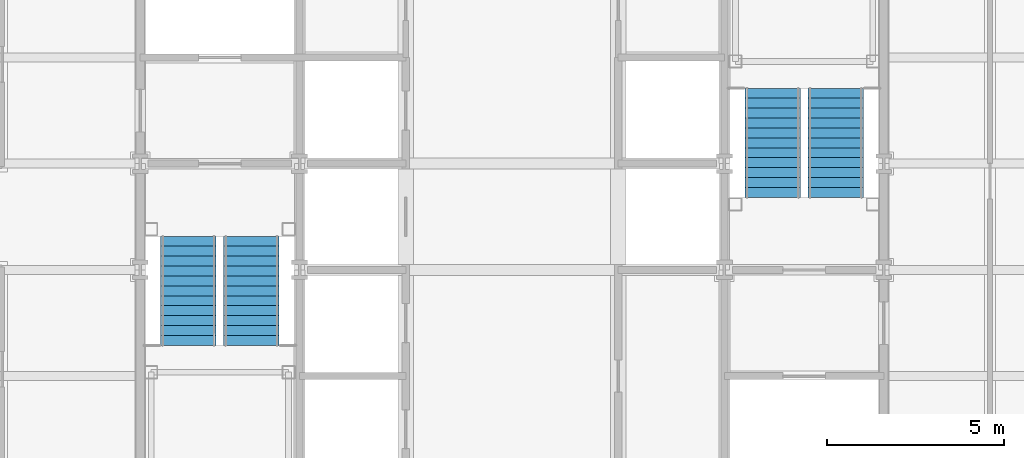
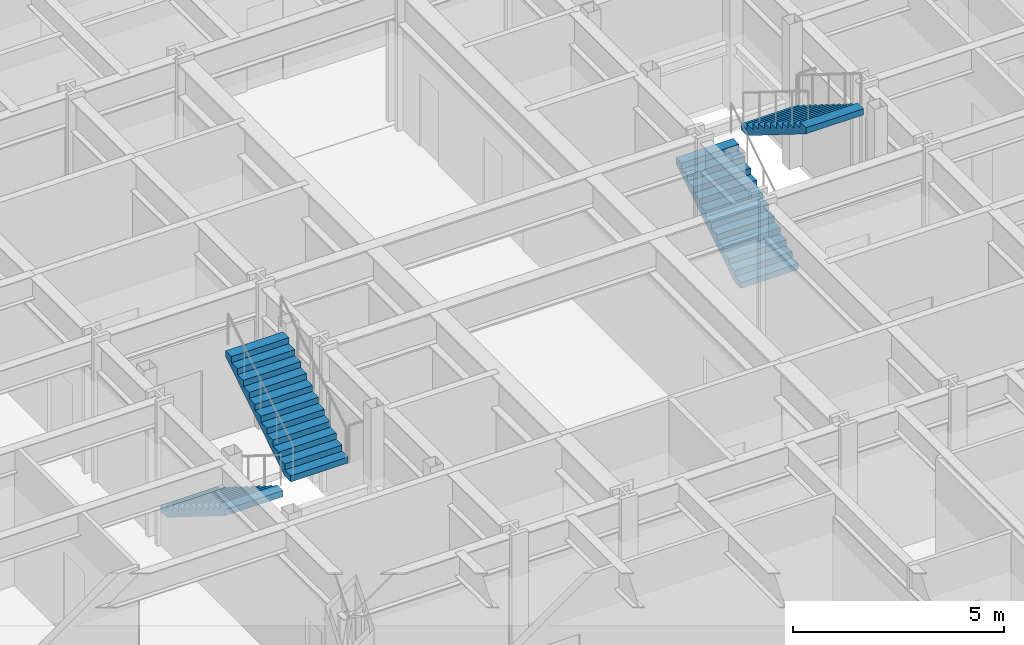
# One storey, part 13 of 15: 4 stair flights, 2 elements without a shape of their own.
"""IFC4 building model written with IfcOpenShell, lengths in metres."""

import ifcopenshell
import ifcopenshell.guid

model = None  # the IFC model being written
_history = None  # IfcOwnerHistory: only IFC2X3 demands one
_inside = {}  # id of a spatial element -> (the spatial element, [elements in it])
_under = {}  # id of a project, library or spatial element -> (it, [spatial elements below it])
_declared = {}  # id of a project -> (the project, [libraries it declares])
_typed = {}  # id of a type object -> (the type object, [elements of that type])
_made_of = {}  # id of a material, layer set ... -> (it, [elements and type objects made of it])


def new_model(schema):
    """Start an empty IFC model of exactly this schema.

    Asked for "IFC4X3", IfcOpenShell would pick the latest addendum, in which some entities
    have other attributes; the version numbers below select the first issue.
    IFC2X3 requires an IfcOwnerHistory on every rooted entity: one is made here for all.
    """
    global model, _history
    if schema == "IFC4X3":
        model = ifcopenshell.file(schema_version=(4, 3, 0, 0))
    else:
        model = ifcopenshell.file(schema=schema)
    _inside.clear()
    _under.clear()
    _declared.clear()
    _typed.clear()
    _made_of.clear()
    _history = None
    if model.schema == "IFC2X3":
        org = make("IfcOrganization", Name="unknown")
        user = make(
            "IfcPersonAndOrganization",
            ThePerson=make("IfcPerson", FamilyName="unknown"),
            TheOrganization=org,
        )
        app = make(
            "IfcApplication",
            ApplicationDeveloper=org,
            Version="unknown",
            ApplicationFullName="unknown",
            ApplicationIdentifier="unknown",
        )
        _history = make(
            "IfcOwnerHistory",
            OwningUser=user,
            OwningApplication=app,
            ChangeAction="ADDED",
            CreationDate=0,
        )
    return model


def make(cls, **values):
    """One entity of the class cls with the attributes given. An attribute that is None is left unset."""
    return model.create_entity(
        cls, **{name: value for name, value in values.items() if value is not None}
    )


def rooted(cls, **values):
    """An entity with a GlobalId (a new one), such as an element, a storey or a relation."""
    return make(cls, GlobalId=ifcopenshell.guid.new(), OwnerHistory=_history, **values)


def si_unit(unit_type, name, prefix=None):
    """IfcSIUnit, for example si_unit("LENGTHUNIT", "METRE", prefix="MILLI")."""
    return make("IfcSIUnit", UnitType=unit_type, Prefix=prefix, Name=name)


def assignment(units):
    """IfcUnitAssignment: the units of a project."""
    return None if units is None else make("IfcUnitAssignment", Units=units)


def point(xyz):
    """IfcCartesianPoint."""
    return None if xyz is None else make("IfcCartesianPoint", Coordinates=xyz)


def direction(xyz):
    """IfcDirection."""
    return None if xyz is None else make("IfcDirection", DirectionRatios=xyz)


def frame(location, z_axis=None, x_axis=None):
    """IfcAxis2Placement3D, a coordinate frame: its origin and axes. An axis left out is left unset."""
    return make(
        "IfcAxis2Placement3D",
        Location=point(location),
        Axis=direction(z_axis),
        RefDirection=direction(x_axis),
    )


def origin():
    """The frame at (0, 0, 0) with its axes left unset."""
    return frame((0.0, 0.0, 0.0))


def place(relative_to, where):
    """IfcLocalPlacement: puts the frame where relative to a parent placement (None: the world)."""
    return make(
        "IfcLocalPlacement", PlacementRelTo=relative_to, RelativePlacement=where
    )


def context(
    kind, dimensions, precision=None, world=None, true_north=None, identifier=None
):
    """IfcGeometricRepresentationContext, for example the 3D "Model" context."""
    return make(
        "IfcGeometricRepresentationContext",
        ContextIdentifier=identifier,
        ContextType=kind,
        CoordinateSpaceDimension=dimensions,
        Precision=precision,
        WorldCoordinateSystem=world,
        TrueNorth=true_north,
    )


def subcontext(parent, identifier, kind, view, scale=None):
    """IfcGeometricRepresentationSubContext, for example "Body" below "Model"."""
    return make(
        "IfcGeometricRepresentationSubContext",
        ContextIdentifier=identifier,
        ContextType=kind,
        ParentContext=parent,
        TargetScale=scale,
        TargetView=view,
    )


def project(units=None, contexts=None):
    """IfcProject with its units and contexts."""
    return rooted(
        "IfcProject",
        Name="project",
        RepresentationContexts=contexts,
        UnitsInContext=assignment(units),
    )


def spatial(cls, under=None, at=None, **own):
    """A site, building, storey or space (cls), placed at a placement, below another one or the project."""
    s = rooted(cls, ObjectPlacement=at, **own)
    if under is not None:
        _under.setdefault(under.id(), (under, []))[1].append(s)
    return s


def faces_of(points, faces, orient=None, outer=None):
    """IfcFace entities. A face is a list of loops; a loop is a list of indices into points, from 0.

    orient and outer hold one flag for each loop. By default every Orientation is true, the
    first loop of a face is its IfcFaceOuterBound and the others are IfcFaceBound.
    """
    made = []
    for i, loops in enumerate(faces):
        bounds = []
        for j, loop in enumerate(loops):
            is_outer = j == 0 if outer is None else outer[i][j]
            bounds.append(
                make(
                    "IfcFaceOuterBound" if is_outer else "IfcFaceBound",
                    Bound=make("IfcPolyLoop", Polygon=[points[k] for k in loop]),
                    Orientation=True if orient is None else orient[i][j],
                )
            )
        made.append(make("IfcFace", Bounds=bounds))
    return made


def faceted_brep(points, faces, orient=None, outer=None, voids=None):
    """IfcFacetedBrep: a solid bounded by flat faces; with voids (closed shells), ...WithVoids."""
    shared = [point(p) for p in points]
    hull = make("IfcClosedShell", CfsFaces=faces_of(shared, faces, orient, outer))
    if voids is None:
        return make("IfcFacetedBrep", Outer=hull)
    return make(
        "IfcFacetedBrepWithVoids",
        Outer=hull,
        Voids=[
            make(cls, CfsFaces=faces_of(shared, fs, o, b)) for cls, fs, o, b in voids
        ],
    )


def shape(context_of_items, identifier, shape_type, items):
    """IfcShapeRepresentation: the items that make up one representation, for example the "Body"."""
    return make(
        "IfcShapeRepresentation",
        ContextOfItems=context_of_items,
        RepresentationIdentifier=identifier,
        RepresentationType=shape_type,
        Items=items,
    )


def material(Name=None, Category=None):
    """IfcMaterial."""
    return make("IfcMaterial", Name=Name, Category=Category)


def made_of(thing, what):
    """Note that an element or type object is made of a material, layer set ...; save() writes the relation."""
    if what is not None:
        _made_of.setdefault(what.id(), (what, []))[1].append(thing)
    return thing


def type_object(cls, material=None, **own):
    """A type object (cls), such as IfcWallType, which elements share."""
    return made_of(rooted(cls, **own), material)


def element(
    cls,
    number,
    at=None,
    inside=None,
    cuts=None,
    type_object=None,
    material=None,
    context=None,
    identifier="Body",
    shape_type=None,
    held_by="IfcProductDefinitionShape",
    body=None,
    shapes=None,
    **own,
):
    """One element of the class cls, such as IfcWall. Its Tag is "e" and its number.

    at: its placement. inside: the storey or other place that contains it. cuts: it is an
    opening in that element (IfcRelVoidsElement). A single representation is given by context,
    identifier, shape_type and body (its items); several are given by shapes. held_by: the class
    of the entity that holds the representations. save() writes the other relations.
    """
    e = rooted(cls, Tag="e%d" % number, ObjectPlacement=at, **own)
    if body is not None:
        shapes = [shape(context, identifier, shape_type, body)]
    if shapes is not None:
        e.Representation = make(held_by, Representations=shapes)
    if inside is not None:
        _inside.setdefault(inside.id(), (inside, []))[1].append(e)
    if cuts is not None:
        rooted(
            "IfcRelVoidsElement", RelatingBuildingElement=cuts, RelatedOpeningElement=e
        )
    if type_object is not None:
        _typed.setdefault(type_object.id(), (type_object, []))[1].append(e)
    return made_of(e, material)


def aggregate(whole, parts):
    """IfcRelAggregates: a whole, such as a stair, and the parts it consists of."""
    return rooted("IfcRelAggregates", RelatingObject=whole, RelatedObjects=parts)


def save(model, path):
    """Write the relations noted so far, then the file.

    IfcRelAggregates (storeys below a building ...), IfcRelContainedInSpatialStructure (elements
    in a storey), IfcRelDefinesByType, IfcRelAssociatesMaterial and IfcRelDeclares: one each for
    every whole, place, type object, material and project.
    """
    for whole, parts in _under.values():
        aggregate(whole, parts)
    for where, things in _inside.values():
        rooted(
            "IfcRelContainedInSpatialStructure",
            RelatedElements=things,
            RelatingStructure=where,
        )
    for kind, things in _typed.values():
        rooted("IfcRelDefinesByType", RelatedObjects=things, RelatingType=kind)
    for what, things in _made_of.values():
        rooted("IfcRelAssociatesMaterial", RelatedObjects=things, RelatingMaterial=what)
    for by, libraries in _declared.values():
        rooted("IfcRelDeclares", RelatingContext=by, RelatedDefinitions=libraries)
    model.write(path)


model = new_model("IFC4")

# Units and contexts
model_context = context("Model", 3, precision=1e-05, world=origin(), true_north=direction((0.0, 1.0)))
body_context = subcontext(model_context, "Body", "Model", "MODEL_VIEW")
ifc_project = project(units=[si_unit("LENGTHUNIT", "METRE"), si_unit("AREAUNIT", "SQUARE_METRE"), si_unit("VOLUMEUNIT", "CUBIC_METRE"), si_unit("PLANEANGLEUNIT", "RADIAN"), si_unit("MASSUNIT", "GRAM", prefix="KILO")], contexts=[model_context])

# Site, building, storey
site_placement = place(None, origin())
site = spatial("IfcSite", under=ifc_project, at=site_placement, CompositionType="ELEMENT")
building_placement = place(site_placement, origin())
building = spatial("IfcBuilding", under=site, at=building_placement, Name="Chuquiago Exchange Tower", CompositionType="ELEMENT")
storey_placement = place(building_placement, frame((0.0, 0.0, 279.0)))
storey = spatial("IfcBuildingStorey", under=building, at=storey_placement, Name="L62", CompositionType="ELEMENT", Elevation=279.0)

# Stair, stair flights
ifc_material_1 = material(Name="Concrete C30/37, precast", Category="concrete")
stair_type_1 = type_object("IfcStairType", Name="ST1 half-turn stair 4200", PredefinedType="HALF_TURN_STAIR", material=ifc_material_1)
stair_1_placement = place(storey_placement, origin())
stair_1 = element("IfcStair", 1, at=stair_1_placement, inside=storey, type_object=stair_type_1, Name="Stair ST1 L62", PredefinedType="HALF_TURN_STAIR")
ifc_material_2 = material(Name="Concrete C30/37, precast", Category="concrete")
stair_flight_type = type_object("IfcStairFlightType", Name="ST-F flight 1570 for 4200 storey", PredefinedType="STRAIGHT", material=ifc_material_2)
stair_flight_1_placement = place(storey_placement, frame((13.360107421875, 21.949951171875, 0.0), z_axis=(0.0, 0.0, 1.0), x_axis=(0.0, -1.0, 0.0)))
stair_flight_1 = element("IfcStairFlight", 2, at=stair_flight_1_placement, type_object=stair_flight_type, Name="ST1 flight 1", NumberOfRisers=12, NumberOfTreads=11, PredefinedType="STRAIGHT", RiserHeight=0.175, TreadLength=0.28, context=body_context, shape_type="Brep", body=[
    faceted_brep([(0.0, 0.78515625, 0.0), (0.0, 0.78515625, 0.175048828125), (0.280029296875, 0.78515625, 0.175048828125), (0.280029296875, 0.78515625, 0.35009765625), (0.56005859375, 0.78515625, 0.35009765625), (0.56005859375, 0.78515625, 0.52490234375), (0.840087890625, 0.78515625, 0.52490234375), (0.840087890625, 0.78515625, 0.699951171875), (1.1201171875, 0.78515625, 0.699951171875), (1.1201171875, 0.78515625, 0.875), (1.39990234375, 0.78515625, 0.875), (1.39990234375, 0.78515625, 1.050048828125), (1.679931640625, 0.78515625, 1.050048828125), (1.679931640625, 0.78515625, 1.22509765625), (1.9599609375, 0.78515625, 1.22509765625), (1.9599609375, 0.78515625, 1.39990234375), (2.239990234375, 0.78515625, 1.39990234375), (2.239990234375, 0.78515625, 1.574951171875), (2.52001953125, 0.78515625, 1.574951171875), (2.52001953125, 0.78515625, 1.75), (2.800048828125, 0.78515625, 1.75), (2.800048828125, 0.78515625, 1.925048828125), (3.080078125, 0.78515625, 1.925048828125), (3.080078125, 0.78515625, 1.748291015625), (0.28271484375, 0.78515625, 0.0), (0.28271484375, -0.78515625, 0.0), (3.080078125, -0.78515625, 1.748291015625), (3.080078125, -0.78515625, 1.925048828125), (2.800048828125, -0.78515625, 1.925048828125), (2.800048828125, -0.78515625, 1.75), (2.52001953125, -0.78515625, 1.75), (2.52001953125, -0.78515625, 1.574951171875), (2.239990234375, -0.78515625, 1.574951171875), (2.239990234375, -0.78515625, 1.39990234375), (1.9599609375, -0.78515625, 1.39990234375), (1.9599609375, -0.78515625, 1.22509765625), (1.679931640625, -0.78515625, 1.22509765625), (1.679931640625, -0.78515625, 1.050048828125), (1.39990234375, -0.78515625, 1.050048828125), (1.39990234375, -0.78515625, 0.875), (1.1201171875, -0.78515625, 0.875), (1.1201171875, -0.78515625, 0.699951171875), (0.840087890625, -0.78515625, 0.699951171875), (0.840087890625, -0.78515625, 0.52490234375), (0.56005859375, -0.78515625, 0.52490234375), (0.56005859375, -0.78515625, 0.35009765625), (0.280029296875, -0.78515625, 0.35009765625), (0.280029296875, -0.78515625, 0.175048828125), (0.0, -0.78515625, 0.175048828125), (0.0, -0.78515625, 0.0), (0.0, 0.392578125, 0.0), (0.0, 0.392578125, 0.175048828125), (0.0, 0.0, 0.0), (0.0, 0.0, 0.175048828125), (0.0, -0.392578125, 0.0), (0.0, -0.392578125, 0.175048828125), (0.280029296875, 0.392578125, 0.175048828125), (0.280029296875, 0.0, 0.175048828125), (0.280029296875, -0.392578125, 0.175048828125), (0.280029296875, 0.392578125, 0.35009765625), (0.280029296875, 0.0, 0.35009765625), (0.280029296875, -0.392578125, 0.35009765625), (0.56005859375, 0.392578125, 0.35009765625), (0.56005859375, 0.0, 0.35009765625), (0.56005859375, -0.392578125, 0.35009765625), (0.56005859375, 0.392578125, 0.52490234375), (0.56005859375, 0.0, 0.52490234375), (0.56005859375, -0.392578125, 0.52490234375), (0.840087890625, 0.392578125, 0.52490234375), (0.840087890625, 0.0, 0.52490234375), (0.840087890625, -0.392578125, 0.52490234375), (0.840087890625, 0.392578125, 0.699951171875), (0.840087890625, 0.0, 0.699951171875), (0.840087890625, -0.392578125, 0.699951171875), (1.1201171875, 0.392578125, 0.699951171875), (1.1201171875, 0.0, 0.699951171875), (1.1201171875, -0.392578125, 0.699951171875), (1.1201171875, 0.392578125, 0.875), (1.1201171875, 0.0, 0.875), (1.1201171875, -0.392578125, 0.875), (1.39990234375, 0.392578125, 0.875), (1.39990234375, 0.0, 0.875), (1.39990234375, -0.392578125, 0.875), (1.39990234375, 0.392578125, 1.050048828125), (1.39990234375, 0.0, 1.050048828125), (1.39990234375, -0.392578125, 1.050048828125), (1.679931640625, 0.392578125, 1.050048828125), (1.679931640625, 0.0, 1.050048828125), (1.679931640625, -0.392578125, 1.050048828125), (1.679931640625, 0.392578125, 1.22509765625), (1.679931640625, 0.0, 1.22509765625), (1.679931640625, -0.392578125, 1.22509765625), (1.9599609375, 0.392578125, 1.22509765625), (1.9599609375, 0.0, 1.22509765625), (1.9599609375, -0.392578125, 1.22509765625), (1.9599609375, 0.392578125, 1.39990234375), (1.9599609375, 0.0, 1.39990234375), (1.9599609375, -0.392578125, 1.39990234375), (2.239990234375, 0.392578125, 1.39990234375), (2.239990234375, 0.0, 1.39990234375), (2.239990234375, -0.392578125, 1.39990234375), (2.239990234375, 0.392578125, 1.574951171875), (2.239990234375, 0.0, 1.574951171875), (2.239990234375, -0.392578125, 1.574951171875), (2.52001953125, 0.392578125, 1.574951171875), (2.52001953125, 0.0, 1.574951171875), (2.52001953125, -0.392578125, 1.574951171875), (2.52001953125, 0.392578125, 1.75), (2.52001953125, 0.0, 1.75), (2.52001953125, -0.392578125, 1.75), (2.800048828125, 0.392578125, 1.75), (2.800048828125, 0.0, 1.75), (2.800048828125, -0.392578125, 1.75), (2.800048828125, 0.392578125, 1.925048828125), (2.800048828125, 0.0, 1.925048828125), (2.800048828125, -0.392578125, 1.925048828125), (3.080078125, 0.392578125, 1.925048828125), (3.080078125, 0.0, 1.925048828125), (3.080078125, -0.392578125, 1.925048828125), (3.080078125, 0.392578125, 1.748291015625), (3.080078125, 0.0, 1.748291015625), (3.080078125, -0.392578125, 1.748291015625), (0.28271484375, 0.392578125, 0.0), (0.28271484375, 0.0, 0.0), (0.28271484375, -0.392578125, 0.0)], [[[0, 1, 2, 3, 4, 5, 6, 7, 8, 9, 10, 11, 12, 13, 14, 15, 16, 17, 18, 19, 20, 21, 22, 23, 24]], [[25, 26, 27, 28, 29, 30, 31, 32, 33, 34, 35, 36, 37, 38, 39, 40, 41, 42, 43, 44, 45, 46, 47, 48, 49]], [[1, 0, 50, 51]], [[51, 50, 52, 53]], [[53, 52, 54, 55]], [[55, 54, 49, 48]], [[2, 1, 51, 56]], [[56, 51, 53, 57]], [[57, 53, 55, 58]], [[58, 55, 48, 47]], [[3, 2, 56, 59]], [[59, 56, 57, 60]], [[60, 57, 58, 61]], [[61, 58, 47, 46]], [[4, 3, 59, 62]], [[62, 59, 60, 63]], [[63, 60, 61, 64]], [[64, 61, 46, 45]], [[5, 4, 62, 65]], [[65, 62, 63, 66]], [[66, 63, 64, 67]], [[67, 64, 45, 44]], [[6, 5, 65, 68]], [[68, 65, 66, 69]], [[69, 66, 67, 70]], [[70, 67, 44, 43]], [[7, 6, 68, 71]], [[71, 68, 69, 72]], [[72, 69, 70, 73]], [[73, 70, 43, 42]], [[8, 7, 71, 74]], [[74, 71, 72, 75]], [[75, 72, 73, 76]], [[76, 73, 42, 41]], [[9, 8, 74, 77]], [[77, 74, 75, 78]], [[78, 75, 76, 79]], [[79, 76, 41, 40]], [[10, 9, 77, 80]], [[80, 77, 78, 81]], [[81, 78, 79, 82]], [[82, 79, 40, 39]], [[11, 10, 80, 83]], [[83, 80, 81, 84]], [[84, 81, 82, 85]], [[85, 82, 39, 38]], [[12, 11, 83, 86]], [[86, 83, 84, 87]], [[87, 84, 85, 88]], [[88, 85, 38, 37]], [[13, 12, 86, 89]], [[89, 86, 87, 90]], [[90, 87, 88, 91]], [[91, 88, 37, 36]], [[14, 13, 89, 92]], [[92, 89, 90, 93]], [[93, 90, 91, 94]], [[94, 91, 36, 35]], [[15, 14, 92, 95]], [[95, 92, 93, 96]], [[96, 93, 94, 97]], [[97, 94, 35, 34]], [[16, 15, 95, 98]], [[98, 95, 96, 99]], [[99, 96, 97, 100]], [[100, 97, 34, 33]], [[17, 16, 98, 101]], [[101, 98, 99, 102]], [[102, 99, 100, 103]], [[103, 100, 33, 32]], [[18, 17, 101, 104]], [[104, 101, 102, 105]], [[105, 102, 103, 106]], [[106, 103, 32, 31]], [[19, 18, 104, 107]], [[107, 104, 105, 108]], [[108, 105, 106, 109]], [[109, 106, 31, 30]], [[20, 19, 107, 110]], [[110, 107, 108, 111]], [[111, 108, 109, 112]], [[112, 109, 30, 29]], [[21, 20, 110, 113]], [[113, 110, 111, 114]], [[114, 111, 112, 115]], [[115, 112, 29, 28]], [[22, 21, 113, 116]], [[116, 113, 114, 117]], [[117, 114, 115, 118]], [[118, 115, 28, 27]], [[23, 22, 116, 119]], [[119, 116, 117, 120]], [[120, 117, 118, 121]], [[121, 118, 27, 26]], [[24, 23, 119, 122]], [[122, 119, 120, 123]], [[123, 120, 121, 124]], [[124, 121, 26, 25]], [[0, 24, 122, 50]], [[50, 122, 123, 52]], [[52, 123, 124, 54]], [[54, 124, 25, 49]]]),
])
stair_flight_2_placement = place(storey_placement, frame((15.139892578125, 18.8701171875, 2.10009765625), z_axis=(0.0, 0.0, 1.0), x_axis=(0.0, 1.0, 0.0)))
stair_flight_2 = element("IfcStairFlight", 3, at=stair_flight_2_placement, type_object=stair_flight_type, Name="ST1 flight 2", NumberOfRisers=12, NumberOfTreads=11, PredefinedType="STRAIGHT", RiserHeight=0.175, TreadLength=0.28, context=body_context, shape_type="Brep", body=[
    faceted_brep([(0.0, 0.78515625, 0.0), (0.0, 0.78515625, 0.175048828125), (0.280029296875, 0.78515625, 0.175048828125), (0.280029296875, 0.78515625, 0.35009765625), (0.56005859375, 0.78515625, 0.35009765625), (0.56005859375, 0.78515625, 0.52490234375), (0.840087890625, 0.78515625, 0.52490234375), (0.840087890625, 0.78515625, 0.699951171875), (1.1201171875, 0.78515625, 0.699951171875), (1.1201171875, 0.78515625, 0.875), (1.39990234375, 0.78515625, 0.875), (1.39990234375, 0.78515625, 1.050048828125), (1.679931640625, 0.78515625, 1.050048828125), (1.679931640625, 0.78515625, 1.22509765625), (1.9599609375, 0.78515625, 1.22509765625), (1.9599609375, 0.78515625, 1.39990234375), (2.239990234375, 0.78515625, 1.39990234375), (2.239990234375, 0.78515625, 1.574951171875), (2.52001953125, 0.78515625, 1.574951171875), (2.52001953125, 0.78515625, 1.75), (2.800048828125, 0.78515625, 1.75), (2.800048828125, 0.78515625, 1.925048828125), (3.080078125, 0.78515625, 1.925048828125), (3.080078125, 0.78515625, 1.748291015625), (0.28271484375, 0.78515625, 0.0), (0.28271484375, -0.78515625, 0.0), (3.080078125, -0.78515625, 1.748291015625), (3.080078125, -0.78515625, 1.925048828125), (2.800048828125, -0.78515625, 1.925048828125), (2.800048828125, -0.78515625, 1.75), (2.52001953125, -0.78515625, 1.75), (2.52001953125, -0.78515625, 1.574951171875), (2.239990234375, -0.78515625, 1.574951171875), (2.239990234375, -0.78515625, 1.39990234375), (1.9599609375, -0.78515625, 1.39990234375), (1.9599609375, -0.78515625, 1.22509765625), (1.679931640625, -0.78515625, 1.22509765625), (1.679931640625, -0.78515625, 1.050048828125), (1.39990234375, -0.78515625, 1.050048828125), (1.39990234375, -0.78515625, 0.875), (1.1201171875, -0.78515625, 0.875), (1.1201171875, -0.78515625, 0.699951171875), (0.840087890625, -0.78515625, 0.699951171875), (0.840087890625, -0.78515625, 0.52490234375), (0.56005859375, -0.78515625, 0.52490234375), (0.56005859375, -0.78515625, 0.35009765625), (0.280029296875, -0.78515625, 0.35009765625), (0.280029296875, -0.78515625, 0.175048828125), (0.0, -0.78515625, 0.175048828125), (0.0, -0.78515625, 0.0), (0.0, 0.392578125, 0.0), (0.0, 0.392578125, 0.175048828125), (0.0, 0.0, 0.0), (0.0, 0.0, 0.175048828125), (0.0, -0.392578125, 0.0), (0.0, -0.392578125, 0.175048828125), (0.280029296875, 0.392578125, 0.175048828125), (0.280029296875, 0.0, 0.175048828125), (0.280029296875, -0.392578125, 0.175048828125), (0.280029296875, 0.392578125, 0.35009765625), (0.280029296875, 0.0, 0.35009765625), (0.280029296875, -0.392578125, 0.35009765625), (0.56005859375, 0.392578125, 0.35009765625), (0.56005859375, 0.0, 0.35009765625), (0.56005859375, -0.392578125, 0.35009765625), (0.56005859375, 0.392578125, 0.52490234375), (0.56005859375, 0.0, 0.52490234375), (0.56005859375, -0.392578125, 0.52490234375), (0.840087890625, 0.392578125, 0.52490234375), (0.840087890625, 0.0, 0.52490234375), (0.840087890625, -0.392578125, 0.52490234375), (0.840087890625, 0.392578125, 0.699951171875), (0.840087890625, 0.0, 0.699951171875), (0.840087890625, -0.392578125, 0.699951171875), (1.1201171875, 0.392578125, 0.699951171875), (1.1201171875, 0.0, 0.699951171875), (1.1201171875, -0.392578125, 0.699951171875), (1.1201171875, 0.392578125, 0.875), (1.1201171875, 0.0, 0.875), (1.1201171875, -0.392578125, 0.875), (1.39990234375, 0.392578125, 0.875), (1.39990234375, 0.0, 0.875), (1.39990234375, -0.392578125, 0.875), (1.39990234375, 0.392578125, 1.050048828125), (1.39990234375, 0.0, 1.050048828125), (1.39990234375, -0.392578125, 1.050048828125), (1.679931640625, 0.392578125, 1.050048828125), (1.679931640625, 0.0, 1.050048828125), (1.679931640625, -0.392578125, 1.050048828125), (1.679931640625, 0.392578125, 1.22509765625), (1.679931640625, 0.0, 1.22509765625), (1.679931640625, -0.392578125, 1.22509765625), (1.9599609375, 0.392578125, 1.22509765625), (1.9599609375, 0.0, 1.22509765625), (1.9599609375, -0.392578125, 1.22509765625), (1.9599609375, 0.392578125, 1.39990234375), (1.9599609375, 0.0, 1.39990234375), (1.9599609375, -0.392578125, 1.39990234375), (2.239990234375, 0.392578125, 1.39990234375), (2.239990234375, 0.0, 1.39990234375), (2.239990234375, -0.392578125, 1.39990234375), (2.239990234375, 0.392578125, 1.574951171875), (2.239990234375, 0.0, 1.574951171875), (2.239990234375, -0.392578125, 1.574951171875), (2.52001953125, 0.392578125, 1.574951171875), (2.52001953125, 0.0, 1.574951171875), (2.52001953125, -0.392578125, 1.574951171875), (2.52001953125, 0.392578125, 1.75), (2.52001953125, 0.0, 1.75), (2.52001953125, -0.392578125, 1.75), (2.800048828125, 0.392578125, 1.75), (2.800048828125, 0.0, 1.75), (2.800048828125, -0.392578125, 1.75), (2.800048828125, 0.392578125, 1.925048828125), (2.800048828125, 0.0, 1.925048828125), (2.800048828125, -0.392578125, 1.925048828125), (3.080078125, 0.392578125, 1.925048828125), (3.080078125, 0.0, 1.925048828125), (3.080078125, -0.392578125, 1.925048828125), (3.080078125, 0.392578125, 1.748291015625), (3.080078125, 0.0, 1.748291015625), (3.080078125, -0.392578125, 1.748291015625), (0.28271484375, 0.392578125, 0.0), (0.28271484375, 0.0, 0.0), (0.28271484375, -0.392578125, 0.0)], [[[0, 1, 2, 3, 4, 5, 6, 7, 8, 9, 10, 11, 12, 13, 14, 15, 16, 17, 18, 19, 20, 21, 22, 23, 24]], [[25, 26, 27, 28, 29, 30, 31, 32, 33, 34, 35, 36, 37, 38, 39, 40, 41, 42, 43, 44, 45, 46, 47, 48, 49]], [[1, 0, 50, 51]], [[51, 50, 52, 53]], [[53, 52, 54, 55]], [[55, 54, 49, 48]], [[2, 1, 51, 56]], [[56, 51, 53, 57]], [[57, 53, 55, 58]], [[58, 55, 48, 47]], [[3, 2, 56, 59]], [[59, 56, 57, 60]], [[60, 57, 58, 61]], [[61, 58, 47, 46]], [[4, 3, 59, 62]], [[62, 59, 60, 63]], [[63, 60, 61, 64]], [[64, 61, 46, 45]], [[5, 4, 62, 65]], [[65, 62, 63, 66]], [[66, 63, 64, 67]], [[67, 64, 45, 44]], [[6, 5, 65, 68]], [[68, 65, 66, 69]], [[69, 66, 67, 70]], [[70, 67, 44, 43]], [[7, 6, 68, 71]], [[71, 68, 69, 72]], [[72, 69, 70, 73]], [[73, 70, 43, 42]], [[8, 7, 71, 74]], [[74, 71, 72, 75]], [[75, 72, 73, 76]], [[76, 73, 42, 41]], [[9, 8, 74, 77]], [[77, 74, 75, 78]], [[78, 75, 76, 79]], [[79, 76, 41, 40]], [[10, 9, 77, 80]], [[80, 77, 78, 81]], [[81, 78, 79, 82]], [[82, 79, 40, 39]], [[11, 10, 80, 83]], [[83, 80, 81, 84]], [[84, 81, 82, 85]], [[85, 82, 39, 38]], [[12, 11, 83, 86]], [[86, 83, 84, 87]], [[87, 84, 85, 88]], [[88, 85, 38, 37]], [[13, 12, 86, 89]], [[89, 86, 87, 90]], [[90, 87, 88, 91]], [[91, 88, 37, 36]], [[14, 13, 89, 92]], [[92, 89, 90, 93]], [[93, 90, 91, 94]], [[94, 91, 36, 35]], [[15, 14, 92, 95]], [[95, 92, 93, 96]], [[96, 93, 94, 97]], [[97, 94, 35, 34]], [[16, 15, 95, 98]], [[98, 95, 96, 99]], [[99, 96, 97, 100]], [[100, 97, 34, 33]], [[17, 16, 98, 101]], [[101, 98, 99, 102]], [[102, 99, 100, 103]], [[103, 100, 33, 32]], [[18, 17, 101, 104]], [[104, 101, 102, 105]], [[105, 102, 103, 106]], [[106, 103, 32, 31]], [[19, 18, 104, 107]], [[107, 104, 105, 108]], [[108, 105, 106, 109]], [[109, 106, 31, 30]], [[20, 19, 107, 110]], [[110, 107, 108, 111]], [[111, 108, 109, 112]], [[112, 109, 30, 29]], [[21, 20, 110, 113]], [[113, 110, 111, 114]], [[114, 111, 112, 115]], [[115, 112, 29, 28]], [[22, 21, 113, 116]], [[116, 113, 114, 117]], [[117, 114, 115, 118]], [[118, 115, 28, 27]], [[23, 22, 116, 119]], [[119, 116, 117, 120]], [[120, 117, 118, 121]], [[121, 118, 27, 26]], [[24, 23, 119, 122]], [[122, 119, 120, 123]], [[123, 120, 121, 124]], [[124, 121, 26, 25]], [[0, 24, 122, 50]], [[50, 122, 123, 52]], [[52, 123, 124, 54]], [[54, 124, 25, 49]]]),
])
aggregate(stair_1, [stair_flight_1, stair_flight_2])

ifc_material_3 = material(Name="Concrete C30/37, precast", Category="concrete")
stair_type_2 = type_object("IfcStairType", Name="ST2 half-turn stair 4200", PredefinedType="HALF_TURN_STAIR", material=ifc_material_3)
stair_2_placement = place(storey_placement, origin())
stair_2 = element("IfcStair", 4, at=stair_2_placement, inside=storey, type_object=stair_type_2, Name="Stair ST2 L62", PredefinedType="HALF_TURN_STAIR")
stair_flight_3_placement = place(storey_placement, frame((29.860107421875, 23.050048828125, 0.0), z_axis=(0.0, 0.0, 1.0), x_axis=(0.0, 1.0, 0.0)))
stair_flight_3 = element("IfcStairFlight", 5, at=stair_flight_3_placement, type_object=stair_flight_type, Name="ST2 flight 1", NumberOfRisers=12, NumberOfTreads=11, PredefinedType="STRAIGHT", RiserHeight=0.175, TreadLength=0.28, context=body_context, shape_type="Brep", body=[
    faceted_brep([(0.0, 0.78515625, 0.0), (0.0, 0.78515625, 0.175048828125), (0.280029296875, 0.78515625, 0.175048828125), (0.280029296875, 0.78515625, 0.35009765625), (0.56005859375, 0.78515625, 0.35009765625), (0.56005859375, 0.78515625, 0.52490234375), (0.840087890625, 0.78515625, 0.52490234375), (0.840087890625, 0.78515625, 0.699951171875), (1.1201171875, 0.78515625, 0.699951171875), (1.1201171875, 0.78515625, 0.875), (1.39990234375, 0.78515625, 0.875), (1.39990234375, 0.78515625, 1.050048828125), (1.679931640625, 0.78515625, 1.050048828125), (1.679931640625, 0.78515625, 1.22509765625), (1.9599609375, 0.78515625, 1.22509765625), (1.9599609375, 0.78515625, 1.39990234375), (2.239990234375, 0.78515625, 1.39990234375), (2.239990234375, 0.78515625, 1.574951171875), (2.52001953125, 0.78515625, 1.574951171875), (2.52001953125, 0.78515625, 1.75), (2.800048828125, 0.78515625, 1.75), (2.800048828125, 0.78515625, 1.925048828125), (3.080078125, 0.78515625, 1.925048828125), (3.080078125, 0.78515625, 1.748291015625), (0.28271484375, 0.78515625, 0.0), (0.28271484375, -0.78515625, 0.0), (3.080078125, -0.78515625, 1.748291015625), (3.080078125, -0.78515625, 1.925048828125), (2.800048828125, -0.78515625, 1.925048828125), (2.800048828125, -0.78515625, 1.75), (2.52001953125, -0.78515625, 1.75), (2.52001953125, -0.78515625, 1.574951171875), (2.239990234375, -0.78515625, 1.574951171875), (2.239990234375, -0.78515625, 1.39990234375), (1.9599609375, -0.78515625, 1.39990234375), (1.9599609375, -0.78515625, 1.22509765625), (1.679931640625, -0.78515625, 1.22509765625), (1.679931640625, -0.78515625, 1.050048828125), (1.39990234375, -0.78515625, 1.050048828125), (1.39990234375, -0.78515625, 0.875), (1.1201171875, -0.78515625, 0.875), (1.1201171875, -0.78515625, 0.699951171875), (0.840087890625, -0.78515625, 0.699951171875), (0.840087890625, -0.78515625, 0.52490234375), (0.56005859375, -0.78515625, 0.52490234375), (0.56005859375, -0.78515625, 0.35009765625), (0.280029296875, -0.78515625, 0.35009765625), (0.280029296875, -0.78515625, 0.175048828125), (0.0, -0.78515625, 0.175048828125), (0.0, -0.78515625, 0.0), (0.0, 0.392578125, 0.0), (0.0, 0.392578125, 0.175048828125), (0.0, 0.0, 0.0), (0.0, 0.0, 0.175048828125), (0.0, -0.392578125, 0.0), (0.0, -0.392578125, 0.175048828125), (0.280029296875, 0.392578125, 0.175048828125), (0.280029296875, 0.0, 0.175048828125), (0.280029296875, -0.392578125, 0.175048828125), (0.280029296875, 0.392578125, 0.35009765625), (0.280029296875, 0.0, 0.35009765625), (0.280029296875, -0.392578125, 0.35009765625), (0.56005859375, 0.392578125, 0.35009765625), (0.56005859375, 0.0, 0.35009765625), (0.56005859375, -0.392578125, 0.35009765625), (0.56005859375, 0.392578125, 0.52490234375), (0.56005859375, 0.0, 0.52490234375), (0.56005859375, -0.392578125, 0.52490234375), (0.840087890625, 0.392578125, 0.52490234375), (0.840087890625, 0.0, 0.52490234375), (0.840087890625, -0.392578125, 0.52490234375), (0.840087890625, 0.392578125, 0.699951171875), (0.840087890625, 0.0, 0.699951171875), (0.840087890625, -0.392578125, 0.699951171875), (1.1201171875, 0.392578125, 0.699951171875), (1.1201171875, 0.0, 0.699951171875), (1.1201171875, -0.392578125, 0.699951171875), (1.1201171875, 0.392578125, 0.875), (1.1201171875, 0.0, 0.875), (1.1201171875, -0.392578125, 0.875), (1.39990234375, 0.392578125, 0.875), (1.39990234375, 0.0, 0.875), (1.39990234375, -0.392578125, 0.875), (1.39990234375, 0.392578125, 1.050048828125), (1.39990234375, 0.0, 1.050048828125), (1.39990234375, -0.392578125, 1.050048828125), (1.679931640625, 0.392578125, 1.050048828125), (1.679931640625, 0.0, 1.050048828125), (1.679931640625, -0.392578125, 1.050048828125), (1.679931640625, 0.392578125, 1.22509765625), (1.679931640625, 0.0, 1.22509765625), (1.679931640625, -0.392578125, 1.22509765625), (1.9599609375, 0.392578125, 1.22509765625), (1.9599609375, 0.0, 1.22509765625), (1.9599609375, -0.392578125, 1.22509765625), (1.9599609375, 0.392578125, 1.39990234375), (1.9599609375, 0.0, 1.39990234375), (1.9599609375, -0.392578125, 1.39990234375), (2.239990234375, 0.392578125, 1.39990234375), (2.239990234375, 0.0, 1.39990234375), (2.239990234375, -0.392578125, 1.39990234375), (2.239990234375, 0.392578125, 1.574951171875), (2.239990234375, 0.0, 1.574951171875), (2.239990234375, -0.392578125, 1.574951171875), (2.52001953125, 0.392578125, 1.574951171875), (2.52001953125, 0.0, 1.574951171875), (2.52001953125, -0.392578125, 1.574951171875), (2.52001953125, 0.392578125, 1.75), (2.52001953125, 0.0, 1.75), (2.52001953125, -0.392578125, 1.75), (2.800048828125, 0.392578125, 1.75), (2.800048828125, 0.0, 1.75), (2.800048828125, -0.392578125, 1.75), (2.800048828125, 0.392578125, 1.925048828125), (2.800048828125, 0.0, 1.925048828125), (2.800048828125, -0.392578125, 1.925048828125), (3.080078125, 0.392578125, 1.925048828125), (3.080078125, 0.0, 1.925048828125), (3.080078125, -0.392578125, 1.925048828125), (3.080078125, 0.392578125, 1.748291015625), (3.080078125, 0.0, 1.748291015625), (3.080078125, -0.392578125, 1.748291015625), (0.28271484375, 0.392578125, 0.0), (0.28271484375, 0.0, 0.0), (0.28271484375, -0.392578125, 0.0)], [[[0, 1, 2, 3, 4, 5, 6, 7, 8, 9, 10, 11, 12, 13, 14, 15, 16, 17, 18, 19, 20, 21, 22, 23, 24]], [[25, 26, 27, 28, 29, 30, 31, 32, 33, 34, 35, 36, 37, 38, 39, 40, 41, 42, 43, 44, 45, 46, 47, 48, 49]], [[1, 0, 50, 51]], [[51, 50, 52, 53]], [[53, 52, 54, 55]], [[55, 54, 49, 48]], [[2, 1, 51, 56]], [[56, 51, 53, 57]], [[57, 53, 55, 58]], [[58, 55, 48, 47]], [[3, 2, 56, 59]], [[59, 56, 57, 60]], [[60, 57, 58, 61]], [[61, 58, 47, 46]], [[4, 3, 59, 62]], [[62, 59, 60, 63]], [[63, 60, 61, 64]], [[64, 61, 46, 45]], [[5, 4, 62, 65]], [[65, 62, 63, 66]], [[66, 63, 64, 67]], [[67, 64, 45, 44]], [[6, 5, 65, 68]], [[68, 65, 66, 69]], [[69, 66, 67, 70]], [[70, 67, 44, 43]], [[7, 6, 68, 71]], [[71, 68, 69, 72]], [[72, 69, 70, 73]], [[73, 70, 43, 42]], [[8, 7, 71, 74]], [[74, 71, 72, 75]], [[75, 72, 73, 76]], [[76, 73, 42, 41]], [[9, 8, 74, 77]], [[77, 74, 75, 78]], [[78, 75, 76, 79]], [[79, 76, 41, 40]], [[10, 9, 77, 80]], [[80, 77, 78, 81]], [[81, 78, 79, 82]], [[82, 79, 40, 39]], [[11, 10, 80, 83]], [[83, 80, 81, 84]], [[84, 81, 82, 85]], [[85, 82, 39, 38]], [[12, 11, 83, 86]], [[86, 83, 84, 87]], [[87, 84, 85, 88]], [[88, 85, 38, 37]], [[13, 12, 86, 89]], [[89, 86, 87, 90]], [[90, 87, 88, 91]], [[91, 88, 37, 36]], [[14, 13, 89, 92]], [[92, 89, 90, 93]], [[93, 90, 91, 94]], [[94, 91, 36, 35]], [[15, 14, 92, 95]], [[95, 92, 93, 96]], [[96, 93, 94, 97]], [[97, 94, 35, 34]], [[16, 15, 95, 98]], [[98, 95, 96, 99]], [[99, 96, 97, 100]], [[100, 97, 34, 33]], [[17, 16, 98, 101]], [[101, 98, 99, 102]], [[102, 99, 100, 103]], [[103, 100, 33, 32]], [[18, 17, 101, 104]], [[104, 101, 102, 105]], [[105, 102, 103, 106]], [[106, 103, 32, 31]], [[19, 18, 104, 107]], [[107, 104, 105, 108]], [[108, 105, 106, 109]], [[109, 106, 31, 30]], [[20, 19, 107, 110]], [[110, 107, 108, 111]], [[111, 108, 109, 112]], [[112, 109, 30, 29]], [[21, 20, 110, 113]], [[113, 110, 111, 114]], [[114, 111, 112, 115]], [[115, 112, 29, 28]], [[22, 21, 113, 116]], [[116, 113, 114, 117]], [[117, 114, 115, 118]], [[118, 115, 28, 27]], [[23, 22, 116, 119]], [[119, 116, 117, 120]], [[120, 117, 118, 121]], [[121, 118, 27, 26]], [[24, 23, 119, 122]], [[122, 119, 120, 123]], [[123, 120, 121, 124]], [[124, 121, 26, 25]], [[0, 24, 122, 50]], [[50, 122, 123, 52]], [[52, 123, 124, 54]], [[54, 124, 25, 49]]]),
])
stair_flight_4_placement = place(storey_placement, frame((31.639892578125, 26.1298828125, 2.10009765625), z_axis=(0.0, 0.0, 1.0), x_axis=(0.0, -1.0, 0.0)))
stair_flight_4 = element("IfcStairFlight", 6, at=stair_flight_4_placement, type_object=stair_flight_type, Name="ST2 flight 2", NumberOfRisers=12, NumberOfTreads=11, PredefinedType="STRAIGHT", RiserHeight=0.175, TreadLength=0.28, context=body_context, shape_type="Brep", body=[
    faceted_brep([(0.0, 0.78515625, 0.0), (0.0, 0.78515625, 0.175048828125), (0.280029296875, 0.78515625, 0.175048828125), (0.280029296875, 0.78515625, 0.35009765625), (0.56005859375, 0.78515625, 0.35009765625), (0.56005859375, 0.78515625, 0.52490234375), (0.840087890625, 0.78515625, 0.52490234375), (0.840087890625, 0.78515625, 0.699951171875), (1.1201171875, 0.78515625, 0.699951171875), (1.1201171875, 0.78515625, 0.875), (1.39990234375, 0.78515625, 0.875), (1.39990234375, 0.78515625, 1.050048828125), (1.679931640625, 0.78515625, 1.050048828125), (1.679931640625, 0.78515625, 1.22509765625), (1.9599609375, 0.78515625, 1.22509765625), (1.9599609375, 0.78515625, 1.39990234375), (2.239990234375, 0.78515625, 1.39990234375), (2.239990234375, 0.78515625, 1.574951171875), (2.52001953125, 0.78515625, 1.574951171875), (2.52001953125, 0.78515625, 1.75), (2.800048828125, 0.78515625, 1.75), (2.800048828125, 0.78515625, 1.925048828125), (3.080078125, 0.78515625, 1.925048828125), (3.080078125, 0.78515625, 1.748291015625), (0.28271484375, 0.78515625, 0.0), (0.28271484375, -0.78515625, 0.0), (3.080078125, -0.78515625, 1.748291015625), (3.080078125, -0.78515625, 1.925048828125), (2.800048828125, -0.78515625, 1.925048828125), (2.800048828125, -0.78515625, 1.75), (2.52001953125, -0.78515625, 1.75), (2.52001953125, -0.78515625, 1.574951171875), (2.239990234375, -0.78515625, 1.574951171875), (2.239990234375, -0.78515625, 1.39990234375), (1.9599609375, -0.78515625, 1.39990234375), (1.9599609375, -0.78515625, 1.22509765625), (1.679931640625, -0.78515625, 1.22509765625), (1.679931640625, -0.78515625, 1.050048828125), (1.39990234375, -0.78515625, 1.050048828125), (1.39990234375, -0.78515625, 0.875), (1.1201171875, -0.78515625, 0.875), (1.1201171875, -0.78515625, 0.699951171875), (0.840087890625, -0.78515625, 0.699951171875), (0.840087890625, -0.78515625, 0.52490234375), (0.56005859375, -0.78515625, 0.52490234375), (0.56005859375, -0.78515625, 0.35009765625), (0.280029296875, -0.78515625, 0.35009765625), (0.280029296875, -0.78515625, 0.175048828125), (0.0, -0.78515625, 0.175048828125), (0.0, -0.78515625, 0.0), (0.0, 0.392578125, 0.0), (0.0, 0.392578125, 0.175048828125), (0.0, 0.0, 0.0), (0.0, 0.0, 0.175048828125), (0.0, -0.392578125, 0.0), (0.0, -0.392578125, 0.175048828125), (0.280029296875, 0.392578125, 0.175048828125), (0.280029296875, 0.0, 0.175048828125), (0.280029296875, -0.392578125, 0.175048828125), (0.280029296875, 0.392578125, 0.35009765625), (0.280029296875, 0.0, 0.35009765625), (0.280029296875, -0.392578125, 0.35009765625), (0.56005859375, 0.392578125, 0.35009765625), (0.56005859375, 0.0, 0.35009765625), (0.56005859375, -0.392578125, 0.35009765625), (0.56005859375, 0.392578125, 0.52490234375), (0.56005859375, 0.0, 0.52490234375), (0.56005859375, -0.392578125, 0.52490234375), (0.840087890625, 0.392578125, 0.52490234375), (0.840087890625, 0.0, 0.52490234375), (0.840087890625, -0.392578125, 0.52490234375), (0.840087890625, 0.392578125, 0.699951171875), (0.840087890625, 0.0, 0.699951171875), (0.840087890625, -0.392578125, 0.699951171875), (1.1201171875, 0.392578125, 0.699951171875), (1.1201171875, 0.0, 0.699951171875), (1.1201171875, -0.392578125, 0.699951171875), (1.1201171875, 0.392578125, 0.875), (1.1201171875, 0.0, 0.875), (1.1201171875, -0.392578125, 0.875), (1.39990234375, 0.392578125, 0.875), (1.39990234375, 0.0, 0.875), (1.39990234375, -0.392578125, 0.875), (1.39990234375, 0.392578125, 1.050048828125), (1.39990234375, 0.0, 1.050048828125), (1.39990234375, -0.392578125, 1.050048828125), (1.679931640625, 0.392578125, 1.050048828125), (1.679931640625, 0.0, 1.050048828125), (1.679931640625, -0.392578125, 1.050048828125), (1.679931640625, 0.392578125, 1.22509765625), (1.679931640625, 0.0, 1.22509765625), (1.679931640625, -0.392578125, 1.22509765625), (1.9599609375, 0.392578125, 1.22509765625), (1.9599609375, 0.0, 1.22509765625), (1.9599609375, -0.392578125, 1.22509765625), (1.9599609375, 0.392578125, 1.39990234375), (1.9599609375, 0.0, 1.39990234375), (1.9599609375, -0.392578125, 1.39990234375), (2.239990234375, 0.392578125, 1.39990234375), (2.239990234375, 0.0, 1.39990234375), (2.239990234375, -0.392578125, 1.39990234375), (2.239990234375, 0.392578125, 1.574951171875), (2.239990234375, 0.0, 1.574951171875), (2.239990234375, -0.392578125, 1.574951171875), (2.52001953125, 0.392578125, 1.574951171875), (2.52001953125, 0.0, 1.574951171875), (2.52001953125, -0.392578125, 1.574951171875), (2.52001953125, 0.392578125, 1.75), (2.52001953125, 0.0, 1.75), (2.52001953125, -0.392578125, 1.75), (2.800048828125, 0.392578125, 1.75), (2.800048828125, 0.0, 1.75), (2.800048828125, -0.392578125, 1.75), (2.800048828125, 0.392578125, 1.925048828125), (2.800048828125, 0.0, 1.925048828125), (2.800048828125, -0.392578125, 1.925048828125), (3.080078125, 0.392578125, 1.925048828125), (3.080078125, 0.0, 1.925048828125), (3.080078125, -0.392578125, 1.925048828125), (3.080078125, 0.392578125, 1.748291015625), (3.080078125, 0.0, 1.748291015625), (3.080078125, -0.392578125, 1.748291015625), (0.28271484375, 0.392578125, 0.0), (0.28271484375, 0.0, 0.0), (0.28271484375, -0.392578125, 0.0)], [[[0, 1, 2, 3, 4, 5, 6, 7, 8, 9, 10, 11, 12, 13, 14, 15, 16, 17, 18, 19, 20, 21, 22, 23, 24]], [[25, 26, 27, 28, 29, 30, 31, 32, 33, 34, 35, 36, 37, 38, 39, 40, 41, 42, 43, 44, 45, 46, 47, 48, 49]], [[1, 0, 50, 51]], [[51, 50, 52, 53]], [[53, 52, 54, 55]], [[55, 54, 49, 48]], [[2, 1, 51, 56]], [[56, 51, 53, 57]], [[57, 53, 55, 58]], [[58, 55, 48, 47]], [[3, 2, 56, 59]], [[59, 56, 57, 60]], [[60, 57, 58, 61]], [[61, 58, 47, 46]], [[4, 3, 59, 62]], [[62, 59, 60, 63]], [[63, 60, 61, 64]], [[64, 61, 46, 45]], [[5, 4, 62, 65]], [[65, 62, 63, 66]], [[66, 63, 64, 67]], [[67, 64, 45, 44]], [[6, 5, 65, 68]], [[68, 65, 66, 69]], [[69, 66, 67, 70]], [[70, 67, 44, 43]], [[7, 6, 68, 71]], [[71, 68, 69, 72]], [[72, 69, 70, 73]], [[73, 70, 43, 42]], [[8, 7, 71, 74]], [[74, 71, 72, 75]], [[75, 72, 73, 76]], [[76, 73, 42, 41]], [[9, 8, 74, 77]], [[77, 74, 75, 78]], [[78, 75, 76, 79]], [[79, 76, 41, 40]], [[10, 9, 77, 80]], [[80, 77, 78, 81]], [[81, 78, 79, 82]], [[82, 79, 40, 39]], [[11, 10, 80, 83]], [[83, 80, 81, 84]], [[84, 81, 82, 85]], [[85, 82, 39, 38]], [[12, 11, 83, 86]], [[86, 83, 84, 87]], [[87, 84, 85, 88]], [[88, 85, 38, 37]], [[13, 12, 86, 89]], [[89, 86, 87, 90]], [[90, 87, 88, 91]], [[91, 88, 37, 36]], [[14, 13, 89, 92]], [[92, 89, 90, 93]], [[93, 90, 91, 94]], [[94, 91, 36, 35]], [[15, 14, 92, 95]], [[95, 92, 93, 96]], [[96, 93, 94, 97]], [[97, 94, 35, 34]], [[16, 15, 95, 98]], [[98, 95, 96, 99]], [[99, 96, 97, 100]], [[100, 97, 34, 33]], [[17, 16, 98, 101]], [[101, 98, 99, 102]], [[102, 99, 100, 103]], [[103, 100, 33, 32]], [[18, 17, 101, 104]], [[104, 101, 102, 105]], [[105, 102, 103, 106]], [[106, 103, 32, 31]], [[19, 18, 104, 107]], [[107, 104, 105, 108]], [[108, 105, 106, 109]], [[109, 106, 31, 30]], [[20, 19, 107, 110]], [[110, 107, 108, 111]], [[111, 108, 109, 112]], [[112, 109, 30, 29]], [[21, 20, 110, 113]], [[113, 110, 111, 114]], [[114, 111, 112, 115]], [[115, 112, 29, 28]], [[22, 21, 113, 116]], [[116, 113, 114, 117]], [[117, 114, 115, 118]], [[118, 115, 28, 27]], [[23, 22, 116, 119]], [[119, 116, 117, 120]], [[120, 117, 118, 121]], [[121, 118, 27, 26]], [[24, 23, 119, 122]], [[122, 119, 120, 123]], [[123, 120, 121, 124]], [[124, 121, 26, 25]], [[0, 24, 122, 50]], [[50, 122, 123, 52]], [[52, 123, 124, 54]], [[54, 124, 25, 49]]]),
])
aggregate(stair_2, [stair_flight_3, stair_flight_4])

save(model, "model.ifc")
